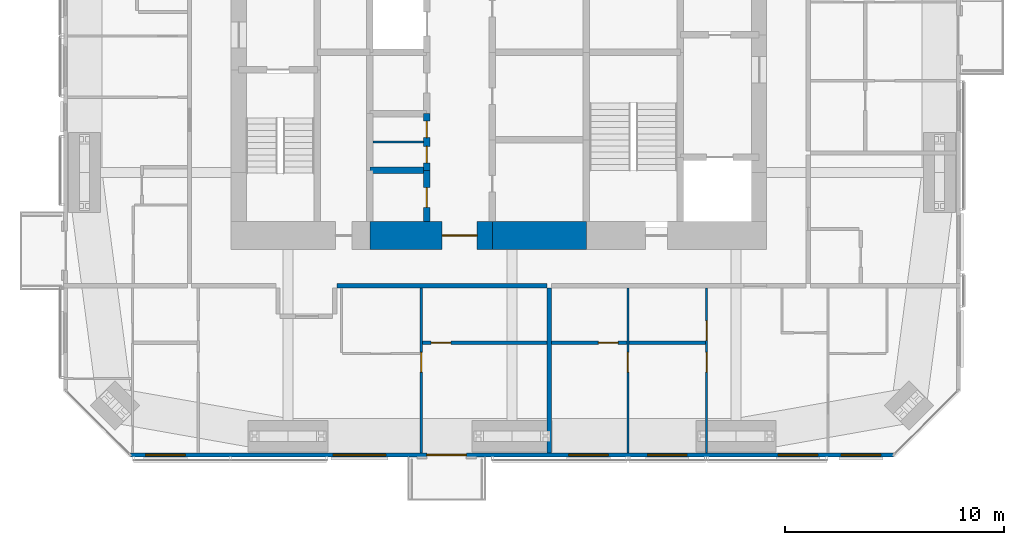
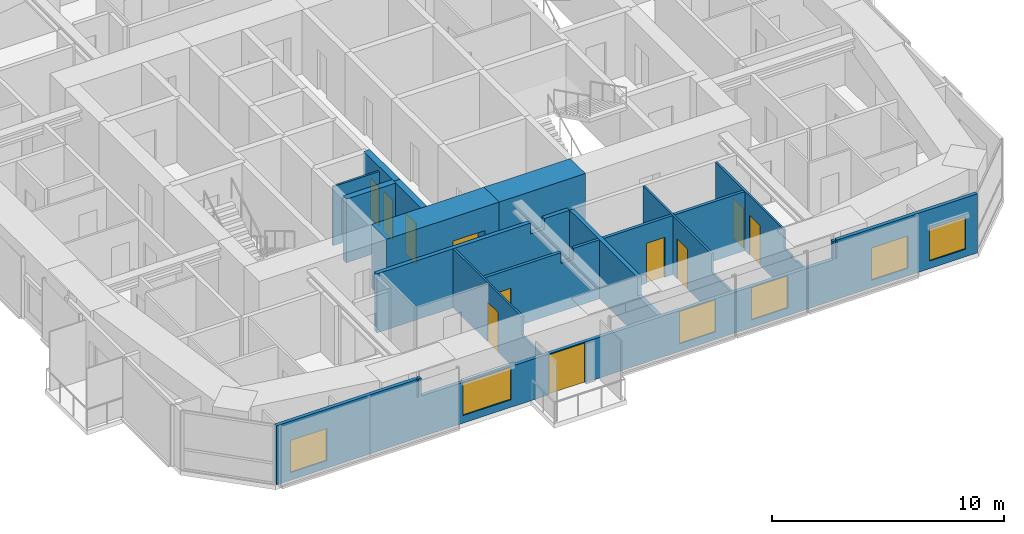
# One storey, part 16 of 22: 15 walls, 11 doors, 6 windows, 17 openings.
"""IFC4 building model written with IfcOpenShell, lengths in metres."""

from ifc_helpers import new_model, si_unit, direction, frame, frame_2d, origin, place, context, subcontext, project, spatial, polyline, rectangle, outline, extrude, material, layer, layer_set, constituent, constituent_set, type_object, element, fill, save


model = new_model("IFC4")

# Units and contexts
model_context = context("Model", 3, precision=1e-05, world=origin(), true_north=direction((0.0, 1.0)))
body_context = subcontext(model_context, "Body", "Model", "MODEL_VIEW")
ifc_project = project(units=[si_unit("LENGTHUNIT", "METRE"), si_unit("AREAUNIT", "SQUARE_METRE"), si_unit("VOLUMEUNIT", "CUBIC_METRE"), si_unit("PLANEANGLEUNIT", "RADIAN"), si_unit("MASSUNIT", "GRAM", prefix="KILO")], contexts=[model_context])

# Site, building, storey
site_placement = place(None, origin())
site = spatial("IfcSite", under=ifc_project, at=site_placement, CompositionType="ELEMENT")
building_placement = place(site_placement, origin())
building = spatial("IfcBuilding", under=site, at=building_placement, Name="Jalousie Tower", CompositionType="ELEMENT")
storey_placement = place(building_placement, frame((0.0, 0.0, 201.25)))
storey = spatial("IfcBuildingStorey", under=building, at=storey_placement, Name="L55", CompositionType="ELEMENT", Elevation=201.25)

# Wall, opening, door
ifc_material_1 = material(Name="Concrete block ASTM C90", Category="concrete")
ifc_constituent_1 = constituent(ifc_material_1, Name="Body")
ifc_material_2 = material(Name="Render")
ifc_constituent_2 = constituent(ifc_material_2, Name="Finish")
ifc_constituent_set_1 = constituent_set(constituents=[ifc_constituent_1, ifc_constituent_2])
wall_type_1 = type_object("IfcWallType", Name="BATHROOM WALL 150", PredefinedType="PLUMBINGWALL", material=ifc_constituent_set_1)
wall_1_placement = place(storey_placement, frame((28.39990234375, 5.22509765625, 0.0), z_axis=(0.0, 0.0, 1.0), x_axis=(1.0, 0.0, 0.0)))
wall_1 = element("IfcWall", 1, at=wall_1_placement, inside=storey, type_object=wall_type_1, Name="Bathroom Wall 150 L55", PredefinedType="PLUMBINGWALL", context=body_context, shape_type="SweptSolid", body=[
    extrude(outline(polyline([(0.0, 0.0), (5.7001953125, 0.0), (5.699951171875, 3.110107421875), (4.412353515625, 3.110107421875), (4.412353515625, 2.541015625), (3.78759765625, 2.541015625), (3.78759765625, 3.110107421875), (0.0, 3.110107421875), (0.0, 0.0)])), frame((0.0, 0.074951171875, 0.0), z_axis=(0.0, -1.0, 0.0), x_axis=(1.0, 0.0, 0.0)), (0.0, 0.0, 1.0), 0.14990234375),
])
opening_1_placement = place(wall_1_placement, frame((0.39990234375, 0.0, 0.0)))
opening_1 = element("IfcOpeningElement", 2, at=opening_1_placement, cuts=wall_1, Name="Opening D3", PredefinedType="OPENING", context=body_context, shape_type="SweptSolid", body=[
    extrude(rectangle(XDim=0.89990234375, YDim=2.10009765625, at=frame_2d((0.449951171875, 1.050048828125))), frame((0.0, 0.0849609375, 0.0), z_axis=(0.0, -1.0, 0.0), x_axis=(1.0, 0.0, 0.0)), (0.0, 0.0, 1.0), 0.169921875),
])
ifc_material_3 = material(Name="Timber door", Category="wood")
door_type_1 = type_object("IfcDoorType", Name="BATHROOM DOOR 900", OperationType="SINGLE_SWING_LEFT", PredefinedType="DOOR", material=ifc_material_3)
door_1_placement = place(opening_1_placement, origin())
door_1 = element("IfcDoor", 3, at=door_1_placement, inside=storey, type_object=door_type_1, Name="Apartment 5501 bedroom 3 bathroom door", OperationType="SINGLE_SWING_LEFT", OverallHeight=2.10009765625, OverallWidth=0.89990234375, PredefinedType="DOOR", context=body_context, shape_type="SweptSolid", body=[
    extrude(rectangle(XDim=0.89990234375, YDim=2.10009765625, at=frame_2d((0.449951171875, 1.050048828125))), frame((0.0, 0.02490234375, 0.0), z_axis=(0.0, -1.0, 0.0), x_axis=(1.0, 0.0, 0.0)), (0.0, 0.0, 1.0), 0.050048828125),
])
fill(opening_1, door_1)

wall_2_placement = place(storey_placement, frame((34.300048828125, 5.22509765625, 0.0), z_axis=(0.0, 0.0, 1.0), x_axis=(1.0, 0.0, 0.0)))
wall_2 = element("IfcWall", 4, at=wall_2_placement, inside=storey, type_object=wall_type_1, Name="Bathroom Wall 150 L55", PredefinedType="PLUMBINGWALL", context=body_context, shape_type="SweptSolid", body=[
    extrude(rectangle(XDim=3.449951171875, YDim=0.14990234375, at=frame_2d((1.72509765625, 0.0))), origin(), (0.0, 0.0, 1.0), 3.110107421875),
])
opening_2_placement = place(wall_2_placement, frame((2.14990234375, 0.0, 0.0)))
opening_2 = element("IfcOpeningElement", 5, at=opening_2_placement, cuts=wall_2, Name="Opening D3", PredefinedType="OPENING", context=body_context, shape_type="SweptSolid", body=[
    extrude(rectangle(XDim=0.89990234375, YDim=2.10009765625, at=frame_2d((0.449951171875, 1.050048828125))), frame((0.0, 0.0849609375, 0.0), z_axis=(0.0, -1.0, 0.0), x_axis=(1.0, 0.0, 0.0)), (0.0, 0.0, 1.0), 0.169921875),
])
door_2_placement = place(opening_2_placement, origin())
door_2 = element("IfcDoor", 6, at=door_2_placement, inside=storey, type_object=door_type_1, Name="Apartment 5502 bedroom 1 bathroom door", OperationType="SINGLE_SWING_RIGHT", OverallHeight=2.10009765625, OverallWidth=0.89990234375, PredefinedType="DOOR", context=body_context, shape_type="SweptSolid", body=[
    extrude(rectangle(XDim=0.89990234375, YDim=2.10009765625, at=frame_2d((0.449951171875, 1.050048828125))), frame((0.0, 0.02490234375, 0.0), z_axis=(0.0, -1.0, 0.0), x_axis=(1.0, 0.0, 0.0)), (0.0, 0.0, 1.0), 0.050048828125),
])
fill(opening_2, door_2)

# Wall
wall_3_placement = place(storey_placement, frame((37.85009765625, 5.22509765625, 0.0), z_axis=(0.0, 0.0, 1.0), x_axis=(1.0, 0.0, 0.0)))
element("IfcWall", 7, at=wall_3_placement, inside=storey, type_object=wall_type_1, Name="Bathroom Wall 150 L55", PredefinedType="PLUMBINGWALL", context=body_context, shape_type="SweptSolid", body=[
    extrude(rectangle(XDim=3.5, YDim=0.14990234375, at=frame_2d((1.75, 0.0))), origin(), (0.0, 0.0, 1.0), 3.110107421875),
])

# Wall, opening, door
ifc_material_4 = material(Name="Concrete f'c 120 MPa", Category="concrete")
ifc_layer_1 = layer(ifc_material_4, 1.300048828125)
ifc_layer_set_1 = layer_set([ifc_layer_1], Name="Concrete f'c 120 MPa")
wall_type_2 = type_object("IfcWallType", Name="CORE WALL 1300", PredefinedType="SHEAR", material=ifc_layer_set_1)
wall_4_placement = place(storey_placement, frame((26.0, 10.125, 0.0), z_axis=(0.0, 0.0, 1.0), x_axis=(1.0, 0.0, 0.0)))
wall_4 = element("IfcWall", 8, at=wall_4_placement, inside=storey, type_object=wall_type_2, Name="Core wall SB L55", PredefinedType="SHEAR", context=body_context, shape_type="SweptSolid", body=[
    extrude(rectangle(XDim=5.60009765625, YDim=1.300048828125, at=frame_2d((2.800048828125, 0.0))), origin(), (0.0, 0.0, 1.0), 3.35009765625),
])
opening_3_placement = place(wall_4_placement, frame((3.300048828125, 0.0, 0.0)))
opening_3 = element("IfcOpeningElement", 9, at=opening_3_placement, cuts=wall_4, Name="Opening D15", PredefinedType="OPENING", context=body_context, shape_type="SweptSolid", body=[
    extrude(rectangle(XDim=1.60009765625, YDim=2.10009765625, at=frame_2d((0.800048828125, 1.050048828125))), frame((0.0, 0.659912109375, 0.0), z_axis=(0.0, -1.0, 0.0), x_axis=(1.0, 0.0, 0.0)), (0.0, 0.0, 1.0), 1.320068359375),
])
ifc_material_5 = material(Name="Steel fire door", Category="steel")
door_type_2 = type_object("IfcDoorType", Name="LIFT LOBBY DOOR 1600", OperationType="DOUBLE_DOOR_SINGLE_SWING", PredefinedType="DOOR", material=ifc_material_5)
door_3_placement = place(opening_3_placement, origin())
door_3 = element("IfcDoor", 10, at=door_3_placement, inside=storey, type_object=door_type_2, Name="Lift lobby south door", OperationType="DOUBLE_DOOR_SINGLE_SWING", OverallHeight=2.10009765625, OverallWidth=1.60009765625, PredefinedType="DOOR", context=body_context, shape_type="SweptSolid", body=[
    extrude(rectangle(XDim=1.60009765625, YDim=2.10009765625, at=frame_2d((0.800048828125, 1.050048828125))), frame((0.0, 0.02490234375, 0.0), z_axis=(0.0, -1.0, 0.0), x_axis=(1.0, 0.0, 0.0)), (0.0, 0.0, 1.0), 0.050048828125),
])
fill(opening_3, door_3)

# Wall
wall_5_placement = place(storey_placement, frame((31.60009765625, 10.125, 0.0), z_axis=(0.0, 0.0, 1.0), x_axis=(1.0, 0.0, 0.0)))
element("IfcWall", 11, at=wall_5_placement, inside=storey, type_object=wall_type_2, Name="Core wall SC L55", PredefinedType="SHEAR", context=body_context, shape_type="SweptSolid", body=[
    extrude(rectangle(XDim=4.2998046875, YDim=1.300048828125, at=frame_2d((2.14990234375, 0.0))), origin(), (0.0, 0.0, 1.0), 3.35009765625),
])

# Wall, opening, door
ifc_material_6 = material(Name="Concrete f'c 120 MPa", Category="concrete")
ifc_layer_2 = layer(ifc_material_6, 0.300048828125)
ifc_layer_set_2 = layer_set([ifc_layer_2], Name="Concrete f'c 120 MPa")
wall_type_3 = type_object("IfcWallType", Name="CORE WALL 300", PredefinedType="SHEAR", material=ifc_layer_set_2)
wall_6_placement = place(storey_placement, frame((28.60009765625, 10.77490234375, 0.0), z_axis=(0.0, 0.0, 1.0), x_axis=(0.0, 1.0, 0.0)))
wall_6 = element("IfcWall", 12, at=wall_6_placement, inside=storey, type_object=wall_type_3, Name="Core wall X28.6A L55", PredefinedType="SHEAR", context=body_context, shape_type="SweptSolid", body=[
    extrude(rectangle(XDim=2.3251953125, YDim=0.300048828125, at=frame_2d((1.16259765625, 0.0))), origin(), (0.0, 0.0, 1.0), 3.35009765625),
])
opening_4_placement = place(wall_6_placement, frame((0.637451171875, 0.0, 0.0)))
opening_4 = element("IfcOpeningElement", 13, at=opening_4_placement, cuts=wall_6, Name="Opening D24", PredefinedType="OPENING", context=body_context, shape_type="SweptSolid", body=[
    extrude(rectangle(XDim=0.89990234375, YDim=2.10009765625, at=frame_2d((0.449951171875, 1.050048828125))), frame((0.0, 0.159912109375, 0.0), z_axis=(0.0, -1.0, 0.0), x_axis=(1.0, 0.0, 0.0)), (0.0, 0.0, 1.0), 0.320068359375),
])
ifc_material_7 = material(Name="Steel fire door", Category="steel")
door_type_3 = type_object("IfcDoorType", Name="CORE ROOM DOOR 900", OperationType="SINGLE_SWING_LEFT", PredefinedType="DOOR", material=ifc_material_7)
door_4_placement = place(opening_4_placement, origin())
door_4 = element("IfcDoor", 14, at=door_4_placement, inside=storey, type_object=door_type_3, Name="Linen store door", OperationType="SINGLE_SWING_RIGHT", OverallHeight=2.10009765625, OverallWidth=0.89990234375, PredefinedType="DOOR", context=body_context, shape_type="SweptSolid", body=[
    extrude(rectangle(XDim=0.89990234375, YDim=2.10009765625, at=frame_2d((0.449951171875, 1.050048828125))), frame((0.0, 0.02490234375, 0.0), z_axis=(0.0, -1.0, 0.0), x_axis=(1.0, 0.0, 0.0)), (0.0, 0.0, 1.0), 0.050048828125),
])
fill(opening_4, door_4)

# Wall, openings, doors
wall_7_placement = place(storey_placement, frame((28.60009765625, 13.10009765625, 0.0), z_axis=(0.0, 0.0, 1.0), x_axis=(0.0, 1.0, 0.0)))
wall_7 = element("IfcWall", 15, at=wall_7_placement, inside=storey, type_object=wall_type_3, Name="Core wall X28.6B L55", PredefinedType="SHEAR", context=body_context, shape_type="SweptSolid", body=[
    extrude(rectangle(XDim=2.599853515625, YDim=0.300048828125, at=frame_2d((1.2998046875, 0.0))), origin(), (0.0, 0.0, 1.0), 3.35009765625),
])
opening_5_placement = place(wall_7_placement, frame((0.35009765625, 0.0, 0.0)))
opening_5 = element("IfcOpeningElement", 16, at=opening_5_placement, cuts=wall_7, Name="Opening D27", PredefinedType="OPENING", context=body_context, shape_type="SweptSolid", body=[
    extrude(rectangle(XDim=0.75, YDim=2.10009765625, at=frame_2d((0.375, 1.050048828125))), frame((0.0, 0.159912109375, 0.0), z_axis=(0.0, -1.0, 0.0), x_axis=(1.0, 0.0, 0.0)), (0.0, 0.0, 1.0), 0.320068359375),
])
opening_6_placement = place(wall_7_placement, frame((1.5, 0.0, 0.0)))
opening_6 = element("IfcOpeningElement", 17, at=opening_6_placement, cuts=wall_7, Name="Opening D27", PredefinedType="OPENING", context=body_context, shape_type="SweptSolid", body=[
    extrude(rectangle(XDim=0.75, YDim=2.10009765625, at=frame_2d((0.375, 1.050048828125))), frame((0.0, 0.159912109375, 0.0), z_axis=(0.0, -1.0, 0.0), x_axis=(1.0, 0.0, 0.0)), (0.0, 0.0, 1.0), 0.320068359375),
])
ifc_material_8 = material(Name="Steel fire door", Category="steel")
door_type_4 = type_object("IfcDoorType", Name="CORE ROOM DOOR 750", OperationType="SINGLE_SWING_LEFT", PredefinedType="DOOR", material=ifc_material_8)
door_5_placement = place(opening_5_placement, origin())
door_5 = element("IfcDoor", 18, at=door_5_placement, inside=storey, type_object=door_type_4, Name="Housekeeping store door", OperationType="SINGLE_SWING_RIGHT", OverallHeight=2.10009765625, OverallWidth=0.75, PredefinedType="DOOR", context=body_context, shape_type="SweptSolid", body=[
    extrude(rectangle(XDim=0.75, YDim=2.10009765625, at=frame_2d((0.375, 1.050048828125))), frame((0.0, 0.02490234375, 0.0), z_axis=(0.0, -1.0, 0.0), x_axis=(1.0, 0.0, 0.0)), (0.0, 0.0, 1.0), 0.050048828125),
])
fill(opening_5, door_5)
door_6_placement = place(opening_6_placement, origin())
door_6 = element("IfcDoor", 19, at=door_6_placement, inside=storey, type_object=door_type_4, Name="Staff WC door", OperationType="SINGLE_SWING_LEFT", OverallHeight=2.10009765625, OverallWidth=0.75, PredefinedType="DOOR", context=body_context, shape_type="SweptSolid", body=[
    extrude(rectangle(XDim=0.75, YDim=2.10009765625, at=frame_2d((0.375, 1.050048828125))), frame((0.0, 0.02490234375, 0.0), z_axis=(0.0, -1.0, 0.0), x_axis=(1.0, 0.0, 0.0)), (0.0, 0.0, 1.0), 0.050048828125),
])
fill(opening_6, door_6)

# Walls
wall_8_placement = place(storey_placement, frame((26.0, 13.10009765625, 0.0), z_axis=(0.0, 0.0, 1.0), x_axis=(1.0, 0.0, 0.0)))
element("IfcWall", 20, at=wall_8_placement, inside=storey, type_object=wall_type_3, Name="Core wall Y26-13.1 L55", PredefinedType="SHEAR", context=body_context, shape_type="SweptSolid", body=[
    extrude(rectangle(XDim=2.60009765625, YDim=0.300048828125, at=frame_2d((1.300048828125, 0.0))), origin(), (0.0, 0.0, 1.0), 3.35009765625),
])
ifc_material_9 = material(Name="Concrete block ASTM C90", Category="concrete")
ifc_constituent_3 = constituent(ifc_material_9, Name="Body")
ifc_material_10 = material(Name="Render")
ifc_constituent_4 = constituent(ifc_material_10, Name="Finish")
ifc_constituent_set_2 = constituent_set(constituents=[ifc_constituent_3, ifc_constituent_4])
wall_type_4 = type_object("IfcWallType", Name="CORRIDOR WALL 200", PredefinedType="PARTITIONING", material=ifc_constituent_set_2)
wall_9_placement = place(storey_placement, frame((24.5, 7.824951171875, 0.0), z_axis=(0.0, 0.0, 1.0), x_axis=(1.0, 0.0, 0.0)))
element("IfcWall", 21, at=wall_9_placement, inside=storey, type_object=wall_type_4, Name="Corridor Wall 200 L55", PredefinedType="PARTITIONING", context=body_context, shape_type="SweptSolid", body=[
    extrude(outline(polyline([(0.0, 0.0), (9.60009765625, 0.0), (9.60009765625, 3.110107421875), (8.33740234375, 3.110107421875), (8.33740234375, 2.541015625), (7.66259765625, 2.541015625), (7.66259765625, 3.110107421875), (0.0, 3.110107421875), (0.0, 0.0)])), frame((0.0, 0.10009765625, 0.0), z_axis=(0.0, -1.0, 0.0), x_axis=(1.0, 0.0, 0.0)), (0.0, 0.0, 1.0), 0.199951171875),
])

# Wall, openings, door, windows
ifc_material_11 = material(Name="Concrete f'c 40 MPa", Category="concrete")
ifc_constituent_5 = constituent(ifc_material_11, Name="Body")
ifc_material_12 = material(Name="Render, pastel lemon")
ifc_constituent_6 = constituent(ifc_material_12, Name="Finish")
ifc_constituent_set_3 = constituent_set(constituents=[ifc_constituent_5, ifc_constituent_6])
wall_type_5 = type_object("IfcWallType", Name="EXTERNAL WALL 175 LEMON RENDER", PredefinedType="SOLIDWALL", material=ifc_constituent_set_3)
wall_10_placement = place(storey_placement, frame((15.05126953125, 0.08740234375, 0.0), z_axis=(0.0, 0.0, 1.0), x_axis=(1.0, 0.0, 0.0)))
wall_10 = element("IfcWall", 22, at=wall_10_placement, inside=storey, type_object=wall_type_5, Name="External Wall 175 Lemon Render L55", PredefinedType="SOLIDWALL", context=body_context, shape_type="SweptSolid", body=[
    extrude(outline(polyline([(0.0, 0.0), (34.8974609375, 0.0), (34.8974609375, 3.110107421875), (27.91015625, 3.110107421875), (27.91015625, 2.14990234375), (27.8359375, 2.14990234375), (27.8359375, 3.110107421875), (27.69873046875, 3.110107421875), (27.69873046875, 2.14990234375), (7.19873046875, 2.14990234375), (7.19873046875, 3.110107421875), (7.0615234375, 3.110107421875), (7.0615234375, 2.14990234375), (6.9873046875, 2.14990234375), (6.9873046875, 3.110107421875), (0.0, 3.110107421875), (0.0, 0.0)])), frame((0.0, 0.08740234375, 0.0), z_axis=(0.0, -1.0, 0.0), x_axis=(1.0, 0.0, 0.0)), (0.0, 0.0, 1.0), 0.175048828125),
])
opening_7_placement = place(wall_10_placement, frame((0.69873046875, 0.0, 0.39990234375)))
opening_7 = element("IfcOpeningElement", 23, at=opening_7_placement, cuts=wall_10, Name="Opening W-BED170", PredefinedType="OPENING", context=body_context, shape_type="SweptSolid", body=[
    extrude(rectangle(XDim=1.800048828125, YDim=1.699951171875, at=frame_2d((0.89990234375, 0.85009765625))), frame((0.0, 0.097412109375, 0.0), z_axis=(0.0, -1.0, 0.0), x_axis=(1.0, 0.0, 0.0)), (0.0, 0.0, 1.0), 0.195068359375),
])
opening_8_placement = place(wall_10_placement, frame((9.273681640625, 0.0, 0.39990234375)))
opening_8 = element("IfcOpeningElement", 24, at=opening_8_placement, cuts=wall_10, Name="Opening W-LIV170", PredefinedType="OPENING", context=body_context, shape_type="SweptSolid", body=[
    extrude(rectangle(XDim=2.39990234375, YDim=1.699951171875, at=frame_2d((1.199951171875, 0.85009765625))), frame((0.0, 0.097412109375, 0.0), z_axis=(0.0, -1.0, 0.0), x_axis=(1.0, 0.0, 0.0)), (0.0, 0.0, 1.0), 0.195068359375),
])
opening_9_placement = place(wall_10_placement, frame((13.561279296875, 0.0, 0.0)))
opening_9 = element("IfcOpeningElement", 25, at=opening_9_placement, cuts=wall_10, Name="Opening D-BAL21", PredefinedType="OPENING", context=body_context, shape_type="SweptSolid", body=[
    extrude(rectangle(XDim=1.800048828125, YDim=2.10009765625, at=frame_2d((0.89990234375, 1.050048828125))), frame((0.0, 0.097412109375, 0.0), z_axis=(0.0, -1.0, 0.0), x_axis=(1.0, 0.0, 0.0)), (0.0, 0.0, 1.0), 0.195068359375),
])
opening_10_placement = place(wall_10_placement, frame((20.048583984375, 0.0, 0.39990234375)))
opening_10 = element("IfcOpeningElement", 26, at=opening_10_placement, cuts=wall_10, Name="Opening W-BED170", PredefinedType="OPENING", context=body_context, shape_type="SweptSolid", body=[
    extrude(rectangle(XDim=1.800048828125, YDim=1.699951171875, at=frame_2d((0.89990234375, 0.85009765625))), frame((0.0, 0.097412109375, 0.0), z_axis=(0.0, -1.0, 0.0), x_axis=(1.0, 0.0, 0.0)), (0.0, 0.0, 1.0), 0.195068359375),
])
opening_11_placement = place(wall_10_placement, frame((23.648681640625, 0.0, 0.39990234375)))
opening_11 = element("IfcOpeningElement", 27, at=opening_11_placement, cuts=wall_10, Name="Opening W-BED170", PredefinedType="OPENING", context=body_context, shape_type="SweptSolid", body=[
    extrude(rectangle(XDim=1.800048828125, YDim=1.699951171875, at=frame_2d((0.89990234375, 0.85009765625))), frame((0.0, 0.097412109375, 0.0), z_axis=(0.0, -1.0, 0.0), x_axis=(1.0, 0.0, 0.0)), (0.0, 0.0, 1.0), 0.195068359375),
])
opening_12_placement = place(wall_10_placement, frame((29.625, 0.0, 0.39990234375)))
opening_12 = element("IfcOpeningElement", 28, at=opening_12_placement, cuts=wall_10, Name="Opening W-BED170", PredefinedType="OPENING", context=body_context, shape_type="SweptSolid", body=[
    extrude(rectangle(XDim=1.800048828125, YDim=1.699951171875, at=frame_2d((0.89990234375, 0.85009765625))), frame((0.0, 0.097412109375, 0.0), z_axis=(0.0, -1.0, 0.0), x_axis=(1.0, 0.0, 0.0)), (0.0, 0.0, 1.0), 0.195068359375),
])
opening_13_placement = place(wall_10_placement, frame((32.510009765625, 0.0, 0.39990234375)))
opening_13 = element("IfcOpeningElement", 29, at=opening_13_placement, cuts=wall_10, Name="Opening W-BED170", PredefinedType="OPENING", context=body_context, shape_type="SweptSolid", body=[
    extrude(rectangle(XDim=1.800048828125, YDim=1.699951171875, at=frame_2d((0.89990234375, 0.85009765625))), frame((0.0, 0.097412109375, 0.0), z_axis=(0.0, -1.0, 0.0), x_axis=(1.0, 0.0, 0.0)), (0.0, 0.0, 1.0), 0.195068359375),
])
ifc_material_13 = material(Name="Aluminium frame, impact-rated glazing", Category="aluminium")
door_type_5 = type_object("IfcDoorType", Name="BALCONY DOOR 1800x2100", OperationType="SLIDING_TO_LEFT", PredefinedType="DOOR", material=ifc_material_13)
door_7_placement = place(opening_9_placement, origin())
door_7 = element("IfcDoor", 30, at=door_7_placement, inside=storey, type_object=door_type_5, Name="Apartment 5501 bedroom 3 balcony door", OperationType="SLIDING_TO_LEFT", OverallHeight=2.10009765625, OverallWidth=1.800048828125, PredefinedType="DOOR", context=body_context, shape_type="SweptSolid", body=[
    extrude(rectangle(XDim=1.800048828125, YDim=2.10009765625, at=frame_2d((0.89990234375, 1.050048828125))), frame((0.0, 0.02490234375, 0.0), z_axis=(0.0, -1.0, 0.0), x_axis=(1.0, 0.0, 0.0)), (0.0, 0.0, 1.0), 0.050048828125),
])
fill(opening_9, door_7)
ifc_material_14 = material(Name="Aluminium frame, impact-rated glazing", Category="aluminium")
window_type_1 = type_object("IfcWindowType", Name="WINDOW BED 1800x1700", PartitioningType="SINGLE_PANEL", PredefinedType="WINDOW", material=ifc_material_14)
window_1_placement = place(opening_7_placement, origin())
window_1 = element("IfcWindow", 31, at=window_1_placement, inside=storey, type_object=window_type_1, Name="Apartment 5501 bedroom 2 window", OverallHeight=1.699951171875, OverallWidth=1.800048828125, PartitioningType="SINGLE_PANEL", PredefinedType="WINDOW", context=body_context, shape_type="SweptSolid", body=[
    extrude(rectangle(XDim=1.800048828125, YDim=1.699951171875, at=frame_2d((0.89990234375, 0.85009765625))), frame((0.0, 0.030029296875, 0.0), z_axis=(0.0, -1.0, 0.0), x_axis=(1.0, 0.0, 0.0)), (0.0, 0.0, 1.0), 0.06005859375),
])
fill(opening_7, window_1)
window_2_placement = place(opening_10_placement, origin())
window_2 = element("IfcWindow", 32, at=window_2_placement, inside=storey, type_object=window_type_1, Name="Apartment 5502 bedroom 1 window", OverallHeight=1.699951171875, OverallWidth=1.800048828125, PartitioningType="SINGLE_PANEL", PredefinedType="WINDOW", context=body_context, shape_type="SweptSolid", body=[
    extrude(rectangle(XDim=1.800048828125, YDim=1.699951171875, at=frame_2d((0.89990234375, 0.85009765625))), frame((0.0, 0.030029296875, 0.0), z_axis=(0.0, -1.0, 0.0), x_axis=(1.0, 0.0, 0.0)), (0.0, 0.0, 1.0), 0.06005859375),
])
fill(opening_10, window_2)
window_3_placement = place(opening_11_placement, origin())
window_3 = element("IfcWindow", 33, at=window_3_placement, inside=storey, type_object=window_type_1, Name="Apartment 5502 bedroom 2 window", OverallHeight=1.699951171875, OverallWidth=1.800048828125, PartitioningType="SINGLE_PANEL", PredefinedType="WINDOW", context=body_context, shape_type="SweptSolid", body=[
    extrude(rectangle(XDim=1.800048828125, YDim=1.699951171875, at=frame_2d((0.89990234375, 0.85009765625))), frame((0.0, 0.030029296875, 0.0), z_axis=(0.0, -1.0, 0.0), x_axis=(1.0, 0.0, 0.0)), (0.0, 0.0, 1.0), 0.06005859375),
])
fill(opening_11, window_3)
window_4_placement = place(opening_12_placement, origin())
window_4 = element("IfcWindow", 34, at=window_4_placement, inside=storey, type_object=window_type_1, Name="Apartment 5502 study window", OverallHeight=1.699951171875, OverallWidth=1.800048828125, PartitioningType="SINGLE_PANEL", PredefinedType="WINDOW", context=body_context, shape_type="SweptSolid", body=[
    extrude(rectangle(XDim=1.800048828125, YDim=1.699951171875, at=frame_2d((0.89990234375, 0.85009765625))), frame((0.0, 0.030029296875, 0.0), z_axis=(0.0, -1.0, 0.0), x_axis=(1.0, 0.0, 0.0)), (0.0, 0.0, 1.0), 0.06005859375),
])
fill(opening_12, window_4)
window_5_placement = place(opening_13_placement, origin())
window_5 = element("IfcWindow", 35, at=window_5_placement, inside=storey, type_object=window_type_1, Name="Apartment 5502 living and dining room window", OverallHeight=1.699951171875, OverallWidth=1.800048828125, PartitioningType="SINGLE_PANEL", PredefinedType="WINDOW", context=body_context, shape_type="SweptSolid", body=[
    extrude(rectangle(XDim=1.800048828125, YDim=1.699951171875, at=frame_2d((0.89990234375, 0.85009765625))), frame((0.0, 0.030029296875, 0.0), z_axis=(0.0, -1.0, 0.0), x_axis=(1.0, 0.0, 0.0)), (0.0, 0.0, 1.0), 0.06005859375),
])
fill(opening_13, window_5)
ifc_material_15 = material(Name="Aluminium frame, impact-rated glazing", Category="aluminium")
window_type_2 = type_object("IfcWindowType", Name="WINDOW LIV 2400x1700", PartitioningType="DOUBLE_PANEL_VERTICAL", PredefinedType="WINDOW", material=ifc_material_15)
window_6_placement = place(opening_8_placement, origin())
window_6 = element("IfcWindow", 36, at=window_6_placement, inside=storey, type_object=window_type_2, Name="Apartment 5501 living and dining room window", OverallHeight=1.699951171875, OverallWidth=2.39990234375, PartitioningType="SINGLE_PANEL", PredefinedType="WINDOW", context=body_context, shape_type="SweptSolid", body=[
    extrude(rectangle(XDim=2.39990234375, YDim=1.699951171875, at=frame_2d((1.199951171875, 0.85009765625))), frame((0.0, 0.030029296875, 0.0), z_axis=(0.0, -1.0, 0.0), x_axis=(1.0, 0.0, 0.0)), (0.0, 0.0, 1.0), 0.06005859375),
])
fill(opening_8, window_6)

# Wall, opening, door
ifc_material_16 = material(Name="Gypsum board", Category="gypsum")
ifc_constituent_7 = constituent(ifc_material_16, Name="Body")
ifc_material_17 = material(Name="Light-gauge steel studs ASTM A653 SS Grade 33", Category="steel")
ifc_constituent_8 = constituent(ifc_material_17, Name="Framing")
ifc_constituent_set_4 = constituent_set(constituents=[ifc_constituent_7, ifc_constituent_8])
wall_type_6 = type_object("IfcWallType", Name="PARTITION 100", PredefinedType="PARTITIONING", material=ifc_constituent_set_4)
wall_11_placement = place(storey_placement, frame((28.35009765625, 0.175048828125, 0.0), z_axis=(0.0, 0.0, 1.0), x_axis=(0.0, 1.0, 0.0)))
wall_11 = element("IfcWall", 37, at=wall_11_placement, inside=storey, type_object=wall_type_6, Name="Partition 100 L55", PredefinedType="PARTITIONING", context=body_context, shape_type="SweptSolid", body=[
    extrude(outline(polyline([(0.0, 0.0), (7.550048828125, 0.0), (7.550048828125, 3.110107421875), (1.635009765625, 3.110107421875), (1.635009765625, 2.14990234375), (0.0, 2.14990234375), (0.0, 3.110107421875), (0.0, 0.0)])), frame((0.0, 0.050048828125, 0.0), z_axis=(0.0, -1.0, 0.0), x_axis=(1.0, 0.0, 0.0)), (0.0, 0.0, 1.0), 0.10009765625),
])
opening_14_placement = place(wall_11_placement, frame((3.699951171875, 0.0, 0.0)))
opening_14 = element("IfcOpeningElement", 38, at=opening_14_placement, cuts=wall_11, Name="Opening D2", PredefinedType="OPENING", context=body_context, shape_type="SweptSolid", body=[
    extrude(rectangle(XDim=0.89990234375, YDim=2.10009765625, at=frame_2d((0.449951171875, 1.050048828125))), frame((0.0, 0.06005859375, 0.0), z_axis=(0.0, -1.0, 0.0), x_axis=(1.0, 0.0, 0.0)), (0.0, 0.0, 1.0), 0.1201171875),
])
ifc_material_18 = material(Name="Timber door", Category="wood")
door_type_6 = type_object("IfcDoorType", Name="BEDROOM DOOR 900", OperationType="SINGLE_SWING_LEFT", PredefinedType="DOOR", material=ifc_material_18)
door_8_placement = place(opening_14_placement, frame((0.89990234375, 0.0, 0.0), z_axis=(0.0, 0.0, 1.0), x_axis=(-1.0, 0.0, 0.0)))
door_8 = element("IfcDoor", 39, at=door_8_placement, inside=storey, type_object=door_type_6, Name="Apartment 5501 bedroom 3 door", OperationType="SINGLE_SWING_LEFT", OverallHeight=2.10009765625, OverallWidth=0.89990234375, PredefinedType="DOOR", context=body_context, shape_type="SweptSolid", body=[
    extrude(rectangle(XDim=0.89990234375, YDim=2.10009765625, at=frame_2d((0.449951171875, 1.050048828125))), frame((0.0, 0.02490234375, 0.0), z_axis=(0.0, -1.0, 0.0), x_axis=(1.0, 0.0, 0.0)), (0.0, 0.0, 1.0), 0.050048828125),
])
fill(opening_14, door_8)

wall_12_placement = place(storey_placement, frame((37.800048828125, 0.175048828125, 0.0), z_axis=(0.0, 0.0, 1.0), x_axis=(0.0, 1.0, 0.0)))
wall_12 = element("IfcWall", 40, at=wall_12_placement, inside=storey, type_object=wall_type_6, Name="Partition 100 L55", PredefinedType="PARTITIONING", context=body_context, shape_type="SweptSolid", body=[
    extrude(outline(polyline([(0.0, 0.0), (7.550048828125, 0.0), (7.550048828125, 3.110107421875), (1.635009765625, 3.110107421875), (1.635009765625, 2.14990234375), (0.0, 2.14990234375), (0.0, 3.110107421875), (0.0, 0.0)])), frame((0.0, 0.050048828125, 0.0), z_axis=(0.0, -1.0, 0.0), x_axis=(1.0, 0.0, 0.0)), (0.0, 0.0, 1.0), 0.10009765625),
])
opening_15_placement = place(wall_12_placement, frame((3.699951171875, 0.0, 0.0)))
opening_15 = element("IfcOpeningElement", 41, at=opening_15_placement, cuts=wall_12, Name="Opening D2", PredefinedType="OPENING", context=body_context, shape_type="SweptSolid", body=[
    extrude(rectangle(XDim=0.89990234375, YDim=2.10009765625, at=frame_2d((0.449951171875, 1.050048828125))), frame((0.0, 0.06005859375, 0.0), z_axis=(0.0, -1.0, 0.0), x_axis=(1.0, 0.0, 0.0)), (0.0, 0.0, 1.0), 0.1201171875),
])
door_9_placement = place(opening_15_placement, frame((0.89990234375, 0.0, 0.0), z_axis=(0.0, 0.0, 1.0), x_axis=(-1.0, 0.0, 0.0)))
door_9 = element("IfcDoor", 42, at=door_9_placement, inside=storey, type_object=door_type_6, Name="Apartment 5502 bedroom 1 door", OperationType="SINGLE_SWING_LEFT", OverallHeight=2.10009765625, OverallWidth=0.89990234375, PredefinedType="DOOR", context=body_context, shape_type="SweptSolid", body=[
    extrude(rectangle(XDim=0.89990234375, YDim=2.10009765625, at=frame_2d((0.449951171875, 1.050048828125))), frame((0.0, 0.02490234375, 0.0), z_axis=(0.0, -1.0, 0.0), x_axis=(1.0, 0.0, 0.0)), (0.0, 0.0, 1.0), 0.050048828125),
])
fill(opening_15, door_9)

# Wall, openings, doors
wall_13_placement = place(storey_placement, frame((41.39990234375, 0.175048828125, 0.0), z_axis=(0.0, 0.0, 1.0), x_axis=(0.0, 1.0, 0.0)))
wall_13 = element("IfcWall", 43, at=wall_13_placement, inside=storey, type_object=wall_type_6, Name="Partition 100 L55", PredefinedType="PARTITIONING", context=body_context, shape_type="SweptSolid", body=[
    extrude(outline(polyline([(0.52880859375, 2.14990234375), (0.0, 2.14990234375), (0.0, 0.0), (0.52880859375, 0.0), (0.52880859375, 0.087158203125), (1.021240234375, 0.087158203125), (1.021240234375, 0.0), (7.550048828125, 0.0), (7.550048828125, 3.110107421875), (1.635009765625, 3.110107421875), (1.635009765625, 2.14990234375), (1.021240234375, 2.14990234375), (1.021240234375, 2.062744140625), (0.52880859375, 2.062744140625), (0.52880859375, 2.14990234375)])), frame((0.0, 0.050048828125, 0.0), z_axis=(0.0, -1.0, 0.0), x_axis=(1.0, 0.0, 0.0)), (0.0, 0.0, 1.0), 0.10009765625),
])
opening_16_placement = place(wall_13_placement, frame((3.699951171875, 0.0, 0.0)))
opening_16 = element("IfcOpeningElement", 44, at=opening_16_placement, cuts=wall_13, Name="Opening D2", PredefinedType="OPENING", context=body_context, shape_type="SweptSolid", body=[
    extrude(rectangle(XDim=0.89990234375, YDim=2.10009765625, at=frame_2d((0.449951171875, 1.050048828125))), frame((0.0, 0.06005859375, 0.0), z_axis=(0.0, -1.0, 0.0), x_axis=(1.0, 0.0, 0.0)), (0.0, 0.0, 1.0), 0.1201171875),
])
opening_17_placement = place(wall_13_placement, frame((5.14990234375, 0.0, 0.0)))
opening_17 = element("IfcOpeningElement", 45, at=opening_17_placement, cuts=wall_13, Name="Opening D7", PredefinedType="OPENING", context=body_context, shape_type="SweptSolid", body=[
    extrude(rectangle(XDim=0.89990234375, YDim=2.10009765625, at=frame_2d((0.449951171875, 1.050048828125))), frame((0.0, 0.06005859375, 0.0), z_axis=(0.0, -1.0, 0.0), x_axis=(1.0, 0.0, 0.0)), (0.0, 0.0, 1.0), 0.1201171875),
])
door_10_placement = place(opening_16_placement, frame((0.89990234375, 0.0, 0.0), z_axis=(0.0, 0.0, 1.0), x_axis=(-1.0, 0.0, 0.0)))
door_10 = element("IfcDoor", 46, at=door_10_placement, inside=storey, type_object=door_type_6, Name="Apartment 5502 bedroom 2 door", OperationType="SINGLE_SWING_LEFT", OverallHeight=2.10009765625, OverallWidth=0.89990234375, PredefinedType="DOOR", context=body_context, shape_type="SweptSolid", body=[
    extrude(rectangle(XDim=0.89990234375, YDim=2.10009765625, at=frame_2d((0.449951171875, 1.050048828125))), frame((0.0, 0.02490234375, 0.0), z_axis=(0.0, -1.0, 0.0), x_axis=(1.0, 0.0, 0.0)), (0.0, 0.0, 1.0), 0.050048828125),
])
fill(opening_16, door_10)
ifc_material_19 = material(Name="Timber door", Category="wood")
door_type_7 = type_object("IfcDoorType", Name="INTERNAL DOOR 900", OperationType="SINGLE_SWING_LEFT", PredefinedType="DOOR", material=ifc_material_19)
door_11_placement = place(opening_17_placement, origin())
door_11 = element("IfcDoor", 47, at=door_11_placement, inside=storey, type_object=door_type_7, Name="Apartment 5502 bathroom door", OperationType="SINGLE_SWING_LEFT", OverallHeight=2.10009765625, OverallWidth=0.89990234375, PredefinedType="DOOR", context=body_context, shape_type="SweptSolid", body=[
    extrude(rectangle(XDim=0.89990234375, YDim=2.10009765625, at=frame_2d((0.449951171875, 1.050048828125))), frame((0.0, 0.02490234375, 0.0), z_axis=(0.0, -1.0, 0.0), x_axis=(1.0, 0.0, 0.0)), (0.0, 0.0, 1.0), 0.050048828125),
])
fill(opening_17, door_11)

# Walls
wall_14_placement = place(storey_placement, frame((26.14990234375, 14.39990234375, 0.0), z_axis=(0.0, 0.0, 1.0), x_axis=(1.0, 0.0, 0.0)))
element("IfcWall", 48, at=wall_14_placement, inside=storey, type_object=wall_type_6, Name="Partition 100 L55", PredefinedType="PARTITIONING", context=body_context, shape_type="SweptSolid", body=[
    extrude(rectangle(XDim=2.300048828125, YDim=0.10009765625, at=frame_2d((1.14990234375, 0.0))), origin(), (0.0, 0.0, 1.0), 3.110107421875),
])
ifc_material_20 = material(Name="Concrete block ASTM C90", Category="concrete")
ifc_constituent_9 = constituent(ifc_material_20, Name="Body")
ifc_material_21 = material(Name="Render")
ifc_constituent_10 = constituent(ifc_material_21, Name="Finish")
ifc_constituent_set_5 = constituent_set(constituents=[ifc_constituent_9, ifc_constituent_10])
wall_type_7 = type_object("IfcWallType", Name="PARTY WALL 200", PredefinedType="PARTITIONING", material=ifc_constituent_set_5)
wall_15_placement = place(storey_placement, frame((34.199951171875, 0.175048828125, 0.0), z_axis=(0.0, 0.0, 1.0), x_axis=(0.0, 1.0, 0.0)))
element("IfcWall", 49, at=wall_15_placement, inside=storey, type_object=wall_type_7, Name="Party Wall 200 L55", PredefinedType="PARTITIONING", context=body_context, shape_type="SweptSolid", body=[
    extrude(outline(polyline([(0.0, 0.0), (7.550048828125, 0.0), (7.550048828125, 3.110107421875), (1.68505859375, 3.110107421875), (1.68505859375, 2.14990234375), (0.0, 2.14990234375), (0.0, 3.110107421875), (0.0, 0.0)])), frame((0.0, 0.10009765625, 0.0), z_axis=(0.0, -1.0, 0.0), x_axis=(1.0, 0.0, 0.0)), (0.0, 0.0, 1.0), 0.199951171875),
])

save(model, "model.ifc")
